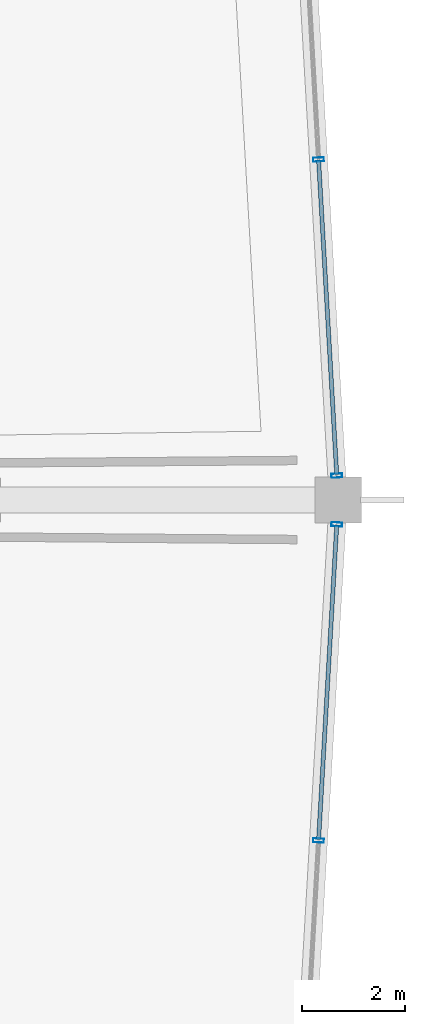
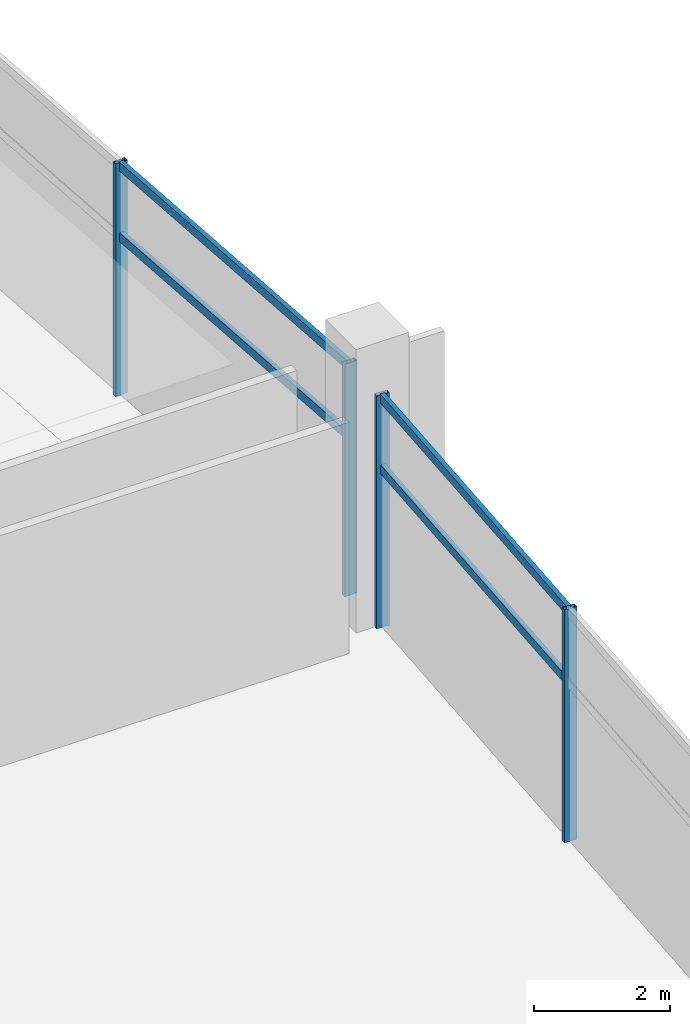
# One storey, part 88 of 184: 8 members, 2 elements without a shape of their own.
"""IFC4 building model written with IfcOpenShell, lengths in metres."""

from ifc_helpers import new_model, si_unit, direction, frame, origin, origin_2d, place, context, subcontext, project, spatial, hollow_rectangle, extrude, material, layer, layer_set, material_profile, profile_set, type_object, element, aggregate, save


model = new_model("IFC4")

# Units and contexts
model_context = context("Model", 3, precision=1e-05, world=origin(), true_north=direction((0.0, 1.0)))
body_context = subcontext(model_context, "Body", "Model", "MODEL_VIEW")
ifc_project = project(units=[si_unit("LENGTHUNIT", "METRE"), si_unit("AREAUNIT", "SQUARE_METRE"), si_unit("VOLUMEUNIT", "CUBIC_METRE"), si_unit("PLANEANGLEUNIT", "RADIAN"), si_unit("MASSUNIT", "GRAM", prefix="KILO")], contexts=[model_context])

# Site, building, storey
site_placement = place(None, origin())
site = spatial("IfcSite", under=ifc_project, at=site_placement, CompositionType="ELEMENT")
building_placement = place(site_placement, origin())
building = spatial("IfcBuilding", under=site, at=building_placement, Name="Kazemori Nagisa Stadium", CompositionType="ELEMENT")
storey_placement = place(building_placement, frame((0.0, 0.0, 10.5400390625)))
storey = spatial("IfcBuildingStorey", under=building, at=storey_placement, Name="L02", CompositionType="ELEMENT", Elevation=10.5400390625)

# Curtain wall, members
ifc_material_1 = material(Name="Anodised aluminium 6063-T5", Category="aluminium")
ifc_layer = layer(ifc_material_1, 0.2099609375, Name="Anodised aluminium 6063-T5", Category="aluminium")
ifc_layer_set = layer_set([ifc_layer], Name="Anodised aluminium 6063-T5")
curtain_wall_type = type_object("IfcCurtainWallType", Name="CW_L02R3_93", PredefinedType="USERDEFINED", material=ifc_layer_set)
curtain_wall_1_placement = place(storey_placement, origin())
curtain_wall_1 = element("IfcCurtainWall", 1, at=curtain_wall_1_placement, inside=storey, type_object=curtain_wall_type, Name="Unitised curtain wall CW-L02R3-93 L02", ObjectType="UNITISED CURTAIN WALL", PredefinedType="USERDEFINED")
ifc_material_2 = material(Name="Aluminium 6063-T5 anodised", Category="aluminium")
ifc_material_profile_1 = material_profile(ifc_material_2, hollow_rectangle(XDim=0.080078125, YDim=0.2099609375, WallThickness=0.0048828125, at=origin_2d()), Name="ALU-MULL-80x210x5")
ifc_profile_set_1 = profile_set([ifc_material_profile_1], Name="Aluminium 6063-T5 anodised")
member_type_1 = type_object("IfcMemberType", Name="Mullion_M02", PredefinedType="MULLION", material=ifc_profile_set_1)
member_1_placement = place(storey_placement, frame((217.97265625, 102.47412109375, 0.0), z_axis=(0.0, 0.0, 1.0), x_axis=(-0.057601670941, 0.998339645364, 0.0)))
member_1 = element("IfcMember", 2, at=member_1_placement, type_object=member_type_1, Name="Curtain wall mullion CW-L02R3-93-M1", PredefinedType="MULLION", context=body_context, shape_type="SweptSolid", body=[
    extrude(hollow_rectangle(XDim=0.080078125, YDim=0.2099609375, WallThickness=0.0048828125, at=origin_2d()), origin(), (0.0, 0.0, 1.0), 4.18994140625),
])
member_2_placement = place(storey_placement, frame((217.617919921875, 108.6240234375, 0.0), z_axis=(0.0, 0.0, 1.0), x_axis=(-0.057601670941, 0.998339645364, 0.0)))
member_2 = element("IfcMember", 3, at=member_2_placement, type_object=member_type_1, Name="Curtain wall mullion CW-L02R3-93-M2", PredefinedType="MULLION", context=body_context, shape_type="SweptSolid", body=[
    extrude(hollow_rectangle(XDim=0.080078125, YDim=0.2099609375, WallThickness=0.0048828125, at=origin_2d()), origin(), (0.0, 0.0, 1.0), 4.18994140625),
])

curtain_wall_2_placement = place(storey_placement, origin())
curtain_wall_2 = element("IfcCurtainWall", 4, at=curtain_wall_2_placement, inside=storey, type_object=curtain_wall_type, Name="Unitised curtain wall CW-L02R3-93 L02", ObjectType="UNITISED CURTAIN WALL", PredefinedType="USERDEFINED")
member_3_placement = place(storey_placement, frame((217.617919921875, 95.3759765625, 0.0), z_axis=(0.0, 0.0, 1.0), x_axis=(0.057601670941, 0.998339645364, 0.0)))
member_3 = element("IfcMember", 5, at=member_3_placement, type_object=member_type_1, Name="Curtain wall mullion CW-L02R3-93-M3", PredefinedType="MULLION", context=body_context, shape_type="SweptSolid", body=[
    extrude(hollow_rectangle(XDim=0.080078125, YDim=0.2099609375, WallThickness=0.0048828125, at=origin_2d()), origin(), (0.0, 0.0, 1.0), 4.18994140625),
])
member_4_placement = place(storey_placement, frame((217.97265625, 101.52587890625, 0.0), z_axis=(0.0, 0.0, 1.0), x_axis=(0.057601670941, 0.998339645364, 0.0)))
member_4 = element("IfcMember", 6, at=member_4_placement, type_object=member_type_1, Name="Curtain wall mullion CW-L02R3-93-M4", PredefinedType="MULLION", context=body_context, shape_type="SweptSolid", body=[
    extrude(hollow_rectangle(XDim=0.080078125, YDim=0.2099609375, WallThickness=0.0048828125, at=origin_2d()), origin(), (0.0, 0.0, 1.0), 4.18994140625),
])

# Member
ifc_material_profile_2 = material_profile(ifc_material_2, hollow_rectangle(XDim=0.080078125, YDim=0.159912109375, WallThickness=0.00390625, at=origin_2d()), Name="ALU-TRAN-80x160x4")
ifc_profile_set_2 = profile_set([ifc_material_profile_2], Name="Aluminium 6063-T5 anodised")
member_type_2 = type_object("IfcMemberType", Name="Transom_T02", PredefinedType="USERDEFINED", material=ifc_profile_set_2)
member_5_placement = place(storey_placement, frame((217.971435546875, 102.494140625, 2.84912109375), z_axis=(-0.057604181202, 0.998339500525, 0.0), x_axis=(-0.998339500525, -0.057604181202, 0.0)))
member_5 = element("IfcMember", 7, at=member_5_placement, type_object=member_type_2, Name="Curtain wall transom CW-L02R3-93-T1-mid", ObjectType="TRANSOM", PredefinedType="USERDEFINED", context=body_context, shape_type="SweptSolid", body=[
    extrude(hollow_rectangle(XDim=0.080078125, YDim=0.159912109375, WallThickness=0.00390625, at=origin_2d()), origin(), (0.0, 0.0, 1.0), 6.1201171875),
])

member_6_placement = place(storey_placement, frame((217.971435546875, 102.494140625, 4.119873046875), z_axis=(-0.057604181202, 0.998339500525, 0.0), x_axis=(-0.998339500525, -0.057604181202, 0.0)))
member_6 = element("IfcMember", 8, at=member_6_placement, type_object=member_type_2, Name="Curtain wall transom CW-L02R3-93-T1-head", ObjectType="TRANSOM", PredefinedType="USERDEFINED", context=body_context, shape_type="SweptSolid", body=[
    extrude(hollow_rectangle(XDim=0.080078125, YDim=0.159912109375, WallThickness=0.00390625, at=origin_2d()), origin(), (0.0, 0.0, 1.0), 6.1201171875),
])

aggregate(curtain_wall_1, [member_1, member_2, member_5, member_6])

member_7_placement = place(storey_placement, frame((217.618896484375, 95.39599609375, 2.84912109375), z_axis=(0.057604181202, 0.998339500525, 0.0), x_axis=(-0.998339500525, 0.057604181202, 0.0)))
member_7 = element("IfcMember", 9, at=member_7_placement, type_object=member_type_2, Name="Curtain wall transom CW-L02R3-93-T3-mid", ObjectType="TRANSOM", PredefinedType="USERDEFINED", context=body_context, shape_type="SweptSolid", body=[
    extrude(hollow_rectangle(XDim=0.080078125, YDim=0.159912109375, WallThickness=0.00390625, at=origin_2d()), origin(), (0.0, 0.0, 1.0), 6.1201171875),
])

member_8_placement = place(storey_placement, frame((217.618896484375, 95.39599609375, 4.119873046875), z_axis=(0.057604181202, 0.998339500525, 0.0), x_axis=(-0.998339500525, 0.057604181202, 0.0)))
member_8 = element("IfcMember", 10, at=member_8_placement, type_object=member_type_2, Name="Curtain wall transom CW-L02R3-93-T3-head", ObjectType="TRANSOM", PredefinedType="USERDEFINED", context=body_context, shape_type="SweptSolid", body=[
    extrude(hollow_rectangle(XDim=0.080078125, YDim=0.159912109375, WallThickness=0.00390625, at=origin_2d()), origin(), (0.0, 0.0, 1.0), 6.1201171875),
])

aggregate(curtain_wall_2, [member_3, member_4, member_7, member_8])

save(model, "model.ifc")
